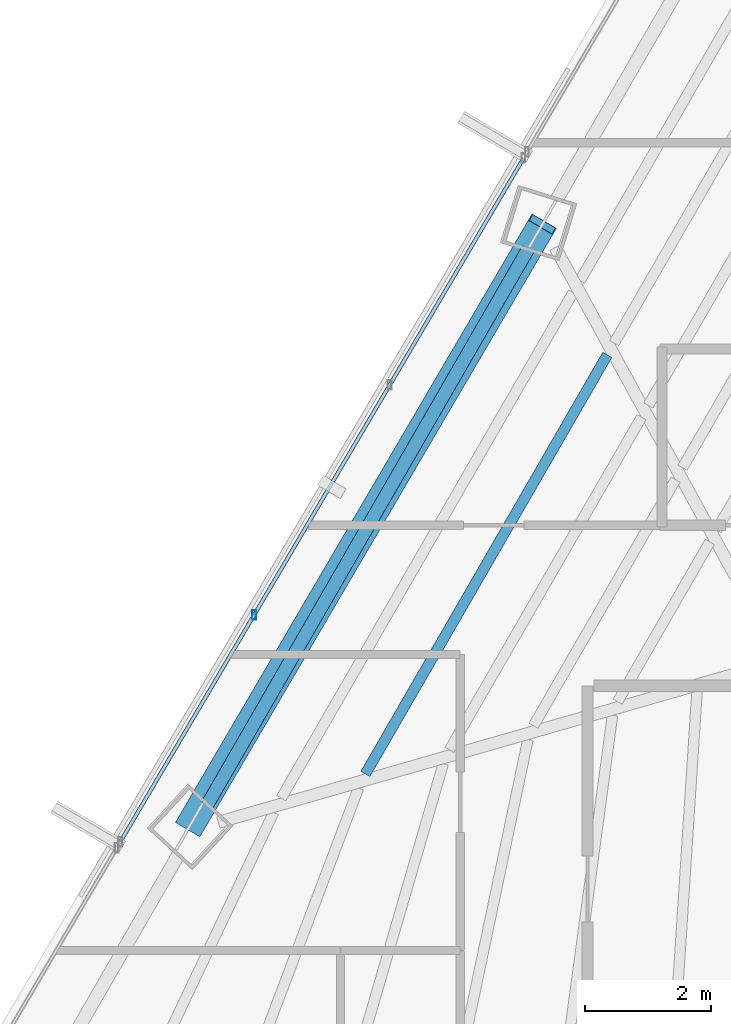
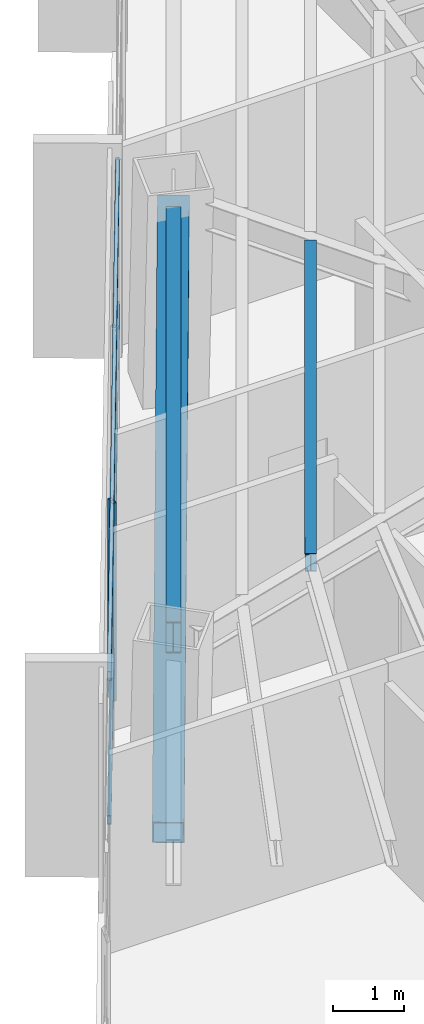
# One storey, part 14 of 41: 4 members, 2 beams, 1 element without a shape of its own.
"""IFC4 building model written with IfcOpenShell, lengths in metres."""

from ifc_helpers import new_model, si_unit, direction, frame, origin, origin_2d, place, context, subcontext, project, spatial, hollow_rectangle, i_section, extrude, source, transform, mapped, material, material_profile, profile_set, type_object, type_shapes, element, aggregate, save


model = new_model("IFC4")

# Units and contexts
model_context = context("Model", 3, precision=1e-05, world=origin(), true_north=direction((0.0, 1.0)))
body_context = subcontext(model_context, "Body", "Model", "MODEL_VIEW")
ifc_project = project(units=[si_unit("LENGTHUNIT", "METRE"), si_unit("AREAUNIT", "SQUARE_METRE"), si_unit("VOLUMEUNIT", "CUBIC_METRE"), si_unit("PLANEANGLEUNIT", "RADIAN"), si_unit("MASSUNIT", "GRAM", prefix="KILO")], contexts=[model_context])

# Site, building, storey
site_placement = place(None, origin())
site = spatial("IfcSite", under=ifc_project, at=site_placement, CompositionType="ELEMENT")
building_placement = place(site_placement, origin())
building = spatial("IfcBuilding", under=site, at=building_placement, Name="Caelisora Broadcast Tower", CompositionType="ELEMENT")
storey_placement = place(building_placement, frame((0.0, 0.0, 173.10009765625)))
storey = spatial("IfcBuildingStorey", under=building, at=storey_placement, Name="L45", CompositionType="ELEMENT", Elevation=173.10009765625)

# Beams
ifc_material_1 = material(Name="Steel Grade 350 (AS/NZS 3679.1)", Category="steel")
ifc_material_profile_1 = material_profile(ifc_material_1, i_section(OverallWidth=0.208984375, OverallDepth=0.532958984375, WebThickness=0.01025390625, FlangeThickness=0.015625, at=origin_2d()), Name="Steel Grade 350 (AS/NZS 3679.1)")
ifc_profile_set_1 = profile_set([ifc_material_profile_1], Name="Steel Grade 350 (AS/NZS 3679.1)")
beam_type_1 = type_object("IfcBeamType", Name="PG05", PredefinedType="BEAM", material=ifc_profile_set_1)
shared_shape_1 = source(origin(), body_context, "Body", "SweptSolid", [
    extrude(i_section(OverallWidth=0.208984375, OverallDepth=0.532958984375, WebThickness=0.01025390625, FlangeThickness=0.015625, at=origin_2d()), origin(), (0.0, 0.0, 1.0), 10.174072265625),
])
type_shapes(beam_type_1, [shared_shape_1])
beam_1_placement = place(storey_placement, frame((26.474365234375, 36.5283203125, 3.13330078125), z_axis=(-0.50000771687, -0.866020948402, 0.0), x_axis=(0.866020948402, -0.50000771687, 0.0)))
element("IfcBeam", 1, at=beam_1_placement, inside=storey, type_object=beam_type_1, Name="L45 beam PG05", PredefinedType="BEAM", context=body_context, shape_type="MappedRepresentation", body=[
    mapped(shared_shape_1, transform((0.0, 0.0, 0.0), scale=1.0)),
])
ifc_material_profile_2 = material_profile(ifc_material_1, i_section(OverallWidth=0.166015625, OverallDepth=0.30712890625, WebThickness=0.006591796875, FlangeThickness=0.01171875, at=origin_2d()), Name="Steel Grade 350 (AS/NZS 3679.1)")
ifc_profile_set_2 = profile_set([ifc_material_profile_2], Name="Steel Grade 350 (AS/NZS 3679.1)")
beam_type_2 = type_object("IfcBeamType", Name="SB03", PredefinedType="JOIST", material=ifc_profile_set_2)
shared_shape_2 = source(origin(), body_context, "Body", "SweptSolid", [
    extrude(i_section(OverallWidth=0.166015625, OverallDepth=0.30712890625, WebThickness=0.006591796875, FlangeThickness=0.01171875, at=origin_2d()), origin(), (0.0, 0.0, 1.0), 7.68115234375),
])
type_shapes(beam_type_2, [shared_shape_2])
beam_2_placement = place(storey_placement, frame((27.734375, 34.853515625, 3.246337890625), z_axis=(-0.499998503327, -0.866026267888, 0.0), x_axis=(0.866026267888, -0.499998503327, 0.0)))
element("IfcBeam", 2, at=beam_2_placement, inside=storey, type_object=beam_type_2, Name="L45 beam SB03", PredefinedType="JOIST", context=body_context, shape_type="MappedRepresentation", body=[
    mapped(shared_shape_2, transform((0.0, 0.0, 0.0), scale=1.0)),
])

# Member
ifc_material_2 = material(Name="Steel Grade 450 (AS/NZS 1163 C450L0)", Category="steel")
ifc_material_profile_3 = material_profile(ifc_material_2, hollow_rectangle(XDim=0.449951171875, YDim=0.449951171875, WallThickness=0.01611328125, at=origin_2d()), Name="Steel Grade 450 (AS/NZS 1163 C450L0)")
ifc_profile_set_3 = profile_set([ifc_material_profile_3], Name="Steel Grade 450 (AS/NZS 1163 C450L0)")
member_type_1 = type_object("IfcMemberType", Name="BR03", PredefinedType="BRACE", material=ifc_profile_set_3)
shared_shape_3 = source(origin(), body_context, "Body", "SweptSolid", [
    extrude(hollow_rectangle(XDim=0.449951171875, YDim=0.449951171875, WallThickness=0.01611328125, at=origin_2d()), origin(), (0.0, 0.0, 1.0), 11.47705078125),
])
type_shapes(member_type_1, [shared_shape_3])
member_1_placement = place(storey_placement, frame((26.704345703125, 36.9267578125, 3.099853515625), z_axis=(-0.488069727035, -0.832743445093, -0.261392991885), x_axis=(0.862738748155, -0.505649930714, 0.0)))
element("IfcMember", 3, at=member_1_placement, inside=storey, type_object=member_type_1, Name="L45 perimeter brace BR03", PredefinedType="BRACE", context=body_context, shape_type="MappedRepresentation", body=[
    mapped(shared_shape_3, transform((0.0, 0.0, 0.0), scale=1.0)),
])

# Curtain wall, members
ifc_material_3 = material(Name="Unitised Aluminium Insulated Shadow-Box Spandrel Curtain Wall", Category="aluminium")
curtain_wall_type = type_object("IfcCurtainWallType", Name="CW-SP2", PredefinedType="NOTDEFINED", material=ifc_material_3)
curtain_wall_placement = place(storey_placement, origin())
curtain_wall = element("IfcCurtainWall", 4, at=curtain_wall_placement, inside=storey, type_object=curtain_wall_type, Name="L45 curtain wall CW-SP2", PredefinedType="NOTDEFINED")
ifc_material_4 = material(Name="Aluminium 6063-T6 Anodised Terracotta Bronze", Category="aluminium")
ifc_material_profile_4 = material_profile(ifc_material_4, hollow_rectangle(XDim=0.06005859375, YDim=0.14990234375, WallThickness=0.00341796875, at=origin_2d()), Name="Aluminium 6063-T6 Anodised Terracotta Bronze")
ifc_profile_set_4 = profile_set([ifc_material_profile_4], Name="Aluminium 6063-T6 Anodised Terracotta Bronze")
member_type_2 = type_object("IfcMemberType", Name="CWM-03", PredefinedType="MULLION", material=ifc_profile_set_4)
shared_shape_4 = source(origin(), body_context, "Body", "SweptSolid", [
    extrude(hollow_rectangle(XDim=0.06005859375, YDim=0.14990234375, WallThickness=0.00341796875, at=origin_2d()), origin(), (0.0, 0.0, 1.0), 3.39990234375),
])
type_shapes(member_type_2, [shared_shape_4])
member_2_placement = place(storey_placement, frame((22.129150390625, 30.72705078125, 0.0), z_axis=(0.0, 0.0, 1.0), x_axis=(1.0, 0.0, 0.0)))
member_2 = element("IfcMember", 5, at=member_2_placement, type_object=member_type_2, Name="L45-CW-B10 mullion #1", PredefinedType="MULLION", context=body_context, shape_type="MappedRepresentation", body=[
    mapped(shared_shape_4, transform((0.0, 0.0, 0.0), scale=1.0)),
])
ifc_material_profile_5 = material_profile(ifc_material_4, hollow_rectangle(XDim=0.06005859375, YDim=0.14990234375, WallThickness=0.00341796875, at=origin_2d()), Name="Aluminium 6063-T6 Anodised Terracotta Bronze")
ifc_profile_set_5 = profile_set([ifc_material_profile_5], Name="Aluminium 6063-T6 Anodised Terracotta Bronze")
member_type_3 = type_object("IfcMemberType", Name="CWT-02", PredefinedType="USERDEFINED", material=ifc_profile_set_5)
shared_shape_5 = source(origin(), body_context, "Body", "SweptSolid", [
    extrude(hollow_rectangle(XDim=0.06005859375, YDim=0.14990234375, WallThickness=0.00341796875, at=origin_2d()), origin(), (0.0, 0.0, 1.0), 12.600830078125),
])
type_shapes(member_type_3, [shared_shape_5])
member_3_placement = place(storey_placement, frame((20.00390625, 27.12353515625, 0.849853515625), z_axis=(0.508033305563, 0.861337425426, 0.0), x_axis=(-0.861337425426, 0.508033305563, 0.0)))
member_3 = element("IfcMember", 6, at=member_3_placement, type_object=member_type_3, Name="L45-CW-B10 transom #1", ObjectType="TRANSOM", PredefinedType="USERDEFINED", context=body_context, shape_type="MappedRepresentation", body=[
    mapped(shared_shape_5, transform((0.0, 0.0, 0.0), scale=1.0)),
])
member_4_placement = place(storey_placement, frame((20.00390625, 27.12353515625, 3.31982421875), z_axis=(0.508033305563, 0.861337425426, 0.0), x_axis=(-0.861337425426, 0.508033305563, 0.0)))
member_4 = element("IfcMember", 7, at=member_4_placement, type_object=member_type_3, Name="L45-CW-B10 transom #2", ObjectType="TRANSOM", PredefinedType="USERDEFINED", context=body_context, shape_type="MappedRepresentation", body=[
    mapped(shared_shape_5, transform((0.0, 0.0, 0.0), scale=1.0)),
])
aggregate(curtain_wall, [member_2, member_3, member_4])

save(model, "model.ifc")
